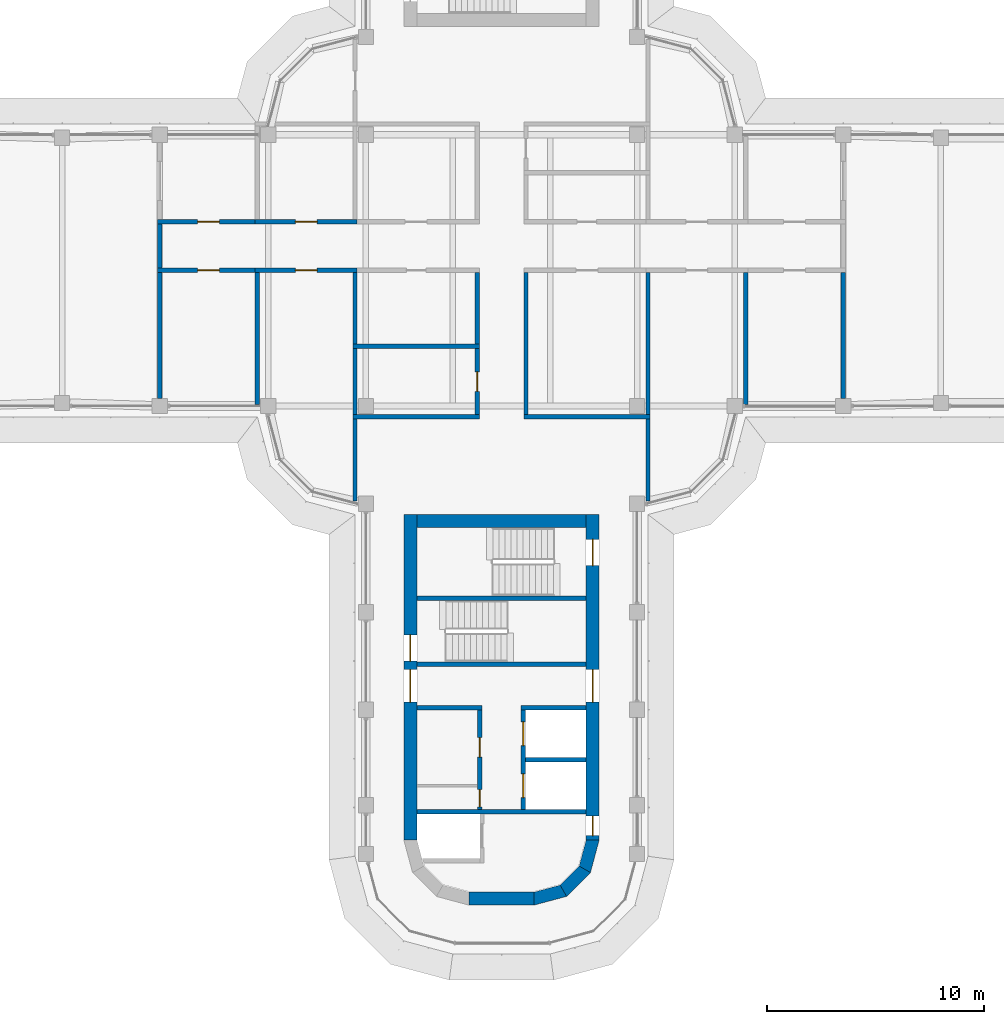
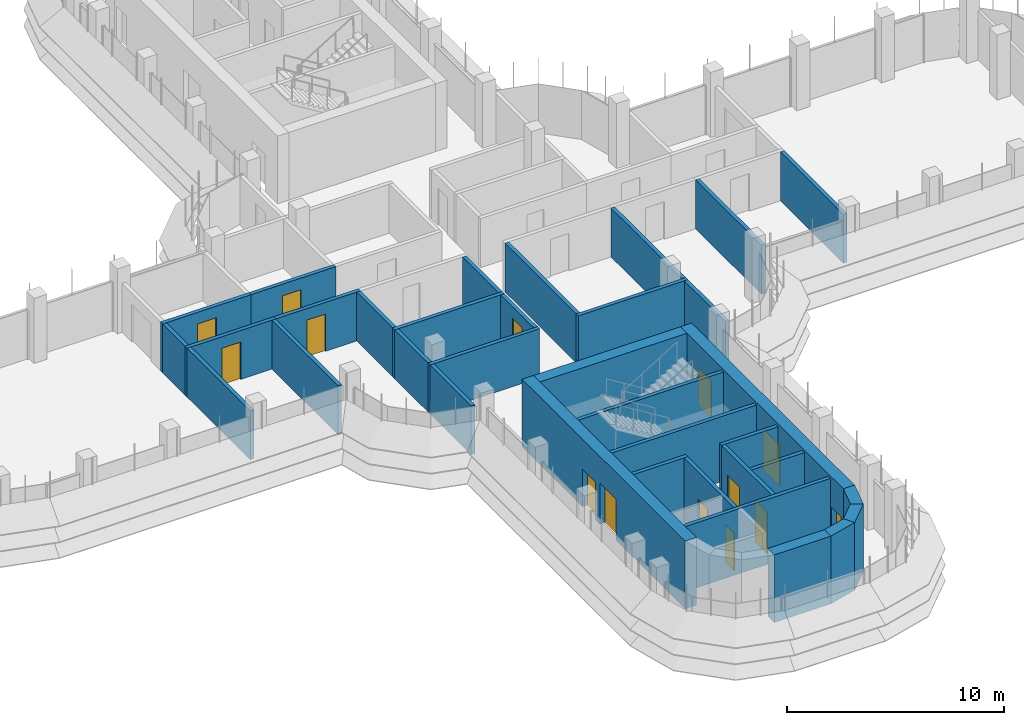
# One storey, part 13 of 18: 35 walls, 14 doors, 14 openings.
"""IFC4 building model written with IfcOpenShell, lengths in metres."""

from ifc_helpers import new_model, si_unit, direction, frame, frame_2d, origin, place, context, subcontext, project, spatial, polyline, rectangle, outline, extrude, material, layer, layer_set, type_object, element, fill, save


model = new_model("IFC4")

# Units and contexts
model_context = context("Model", 3, precision=1e-05, world=origin(), true_north=direction((0.0, 1.0)))
body_context = subcontext(model_context, "Body", "Model", "MODEL_VIEW")
ifc_project = project(units=[si_unit("LENGTHUNIT", "METRE"), si_unit("AREAUNIT", "SQUARE_METRE"), si_unit("VOLUMEUNIT", "CUBIC_METRE"), si_unit("PLANEANGLEUNIT", "RADIAN"), si_unit("MASSUNIT", "GRAM", prefix="KILO")], contexts=[model_context])

# Site, building, storey
site_placement = place(None, origin())
site = spatial("IfcSite", under=ifc_project, at=site_placement, CompositionType="ELEMENT")
building_placement = place(site_placement, origin())
building = spatial("IfcBuilding", under=site, at=building_placement, Name="Zarbagh Exchange Tower", CompositionType="ELEMENT")
storey_placement = place(building_placement, frame((0.0, 0.0, 214.39990234375)))
storey = spatial("IfcBuildingStorey", under=building, at=storey_placement, Name="L52", CompositionType="ELEMENT", Elevation=214.39990234375)

# Wall, opening, door
ifc_material_1 = material(Name="Fire-rated plasterboard partition")
ifc_layer_1 = layer(ifc_material_1, 0.199951171875)
ifc_layer_set_1 = layer_set([ifc_layer_1], Name="RATED PARTITION 200")
wall_type_1 = type_object("IfcWallType", Name="RATED PARTITION 200", PredefinedType="PARTITIONING", material=ifc_layer_set_1)
wall_1_placement = place(storey_placement, frame((-11.35009765625, 2.25, 0.0), z_axis=(0.0, 0.0, 1.0), x_axis=(1.0, 0.0, 0.0)))
wall_1 = element("IfcWall", 1, at=wall_1_placement, inside=storey, type_object=wall_type_1, Name="Partition W-2204", PredefinedType="PARTITIONING", context=body_context, shape_type="SweptSolid", body=[
    extrude(rectangle(XDim=4.7001953125, YDim=0.199951171875, at=frame_2d((2.35009765625, 0.0))), origin(), (0.0, 0.0, 1.0), 2.75),
])
opening_1_placement = place(wall_1_placement, frame((1.85009765625, 0.0, 0.0)))
opening_1 = element("IfcOpeningElement", 2, at=opening_1_placement, cuts=wall_1, Name="Opening D-2209", PredefinedType="OPENING", context=body_context, shape_type="SweptSolid", body=[
    extrude(rectangle(XDim=1.0, YDim=2.10009765625, at=frame_2d((0.5, 1.050048828125))), frame((0.0, 0.10986328125, 0.0), z_axis=(0.0, -1.0, 0.0), x_axis=(1.0, 0.0, 0.0)), (0.0, 0.0, 1.0), 0.219970703125),
])
ifc_material_2 = material(Name="Steel door set", Category="steel")
door_type_1 = type_object("IfcDoorType", Name="FIRE DOOR 1000 X 2100 FD30S", OperationType="NOTDEFINED", PredefinedType="DOOR", material=ifc_material_2)
door_1_placement = place(opening_1_placement, origin())
door_1 = element("IfcDoor", 3, at=door_1_placement, inside=storey, type_object=door_type_1, Name="Door D-2209", OperationType="SINGLE_SWING_RIGHT", OverallHeight=2.10009765625, OverallWidth=1.0, PredefinedType="DOOR", context=body_context, shape_type="SweptSolid", body=[
    extrude(rectangle(XDim=1.0, YDim=2.10009765625, at=frame_2d((0.5, 1.050048828125))), frame((0.0, 0.02490234375, 0.0), z_axis=(0.0, -1.0, 0.0), x_axis=(1.0, 0.0, 0.0)), (0.0, 0.0, 1.0), 0.050048828125),
])
fill(opening_1, door_1)

wall_2_placement = place(storey_placement, frame((-6.64990234375, 0.0, 0.0), z_axis=(0.0, 0.0, 1.0), x_axis=(-1.0, 0.0, 0.0)))
wall_2 = element("IfcWall", 4, at=wall_2_placement, inside=storey, type_object=wall_type_1, Name="Partition W-2208", PredefinedType="PARTITIONING", context=body_context, shape_type="SweptSolid", body=[
    extrude(rectangle(XDim=4.7001953125, YDim=0.199951171875, at=frame_2d((2.35009765625, 0.0))), origin(), (0.0, 0.0, 1.0), 2.75),
])
opening_2_placement = place(wall_2_placement, frame((1.85009765625, 0.0, 0.0)))
opening_2 = element("IfcOpeningElement", 5, at=opening_2_placement, cuts=wall_2, Name="Opening D-2215", PredefinedType="OPENING", context=body_context, shape_type="SweptSolid", body=[
    extrude(rectangle(XDim=1.0, YDim=2.10009765625, at=frame_2d((0.5, 1.050048828125))), frame((0.0, 0.10986328125, 0.0), z_axis=(0.0, -1.0, 0.0), x_axis=(1.0, 0.0, 0.0)), (0.0, 0.0, 1.0), 0.219970703125),
])
door_2_placement = place(opening_2_placement, origin())
door_2 = element("IfcDoor", 6, at=door_2_placement, inside=storey, type_object=door_type_1, Name="Door D-2215", OperationType="SINGLE_SWING_RIGHT", OverallHeight=2.10009765625, OverallWidth=1.0, PredefinedType="DOOR", context=body_context, shape_type="SweptSolid", body=[
    extrude(rectangle(XDim=1.0, YDim=2.10009765625, at=frame_2d((0.5, 1.050048828125))), frame((0.0, 0.02490234375, 0.0), z_axis=(0.0, -1.0, 0.0), x_axis=(1.0, 0.0, 0.0)), (0.0, 0.0, 1.0), 0.050048828125),
])
fill(opening_2, door_2)

wall_3_placement = place(storey_placement, frame((-15.85009765625, 2.25, 0.0), z_axis=(0.0, 0.0, 1.0), x_axis=(1.0, 0.0, 0.0)))
wall_3 = element("IfcWall", 7, at=wall_3_placement, inside=storey, type_object=wall_type_1, Name="Partition W-2212", PredefinedType="PARTITIONING", context=body_context, shape_type="SweptSolid", body=[
    extrude(rectangle(XDim=4.7001953125, YDim=0.199951171875, at=frame_2d((2.35009765625, 0.0))), origin(), (0.0, 0.0, 1.0), 2.75),
])
opening_3_placement = place(wall_3_placement, frame((1.85009765625, 0.0, 0.0)))
opening_3 = element("IfcOpeningElement", 8, at=opening_3_placement, cuts=wall_3, Name="Opening D-2217", PredefinedType="OPENING", context=body_context, shape_type="SweptSolid", body=[
    extrude(rectangle(XDim=1.0, YDim=2.10009765625, at=frame_2d((0.5, 1.050048828125))), frame((0.0, 0.10986328125, 0.0), z_axis=(0.0, -1.0, 0.0), x_axis=(1.0, 0.0, 0.0)), (0.0, 0.0, 1.0), 0.219970703125),
])
door_3_placement = place(opening_3_placement, origin())
door_3 = element("IfcDoor", 9, at=door_3_placement, inside=storey, type_object=door_type_1, Name="Door D-2217", OperationType="SINGLE_SWING_RIGHT", OverallHeight=2.10009765625, OverallWidth=1.0, PredefinedType="DOOR", context=body_context, shape_type="SweptSolid", body=[
    extrude(rectangle(XDim=1.0, YDim=2.10009765625, at=frame_2d((0.5, 1.050048828125))), frame((0.0, 0.02490234375, 0.0), z_axis=(0.0, -1.0, 0.0), x_axis=(1.0, 0.0, 0.0)), (0.0, 0.0, 1.0), 0.050048828125),
])
fill(opening_3, door_3)

wall_4_placement = place(storey_placement, frame((-11.14990234375, 0.0, 0.0), z_axis=(0.0, 0.0, 1.0), x_axis=(-1.0, 0.0, 0.0)))
wall_4 = element("IfcWall", 10, at=wall_4_placement, inside=storey, type_object=wall_type_1, Name="Partition W-2213", PredefinedType="PARTITIONING", context=body_context, shape_type="SweptSolid", body=[
    extrude(rectangle(XDim=4.7001953125, YDim=0.199951171875, at=frame_2d((2.35009765625, 0.0))), origin(), (0.0, 0.0, 1.0), 2.75),
])
opening_4_placement = place(wall_4_placement, frame((1.85009765625, 0.0, 0.0)))
opening_4 = element("IfcOpeningElement", 11, at=opening_4_placement, cuts=wall_4, Name="Opening D-2218", PredefinedType="OPENING", context=body_context, shape_type="SweptSolid", body=[
    extrude(rectangle(XDim=1.0, YDim=2.10009765625, at=frame_2d((0.5, 1.050048828125))), frame((0.0, 0.10986328125, 0.0), z_axis=(0.0, -1.0, 0.0), x_axis=(1.0, 0.0, 0.0)), (0.0, 0.0, 1.0), 0.219970703125),
])
door_4_placement = place(opening_4_placement, origin())
door_4 = element("IfcDoor", 12, at=door_4_placement, inside=storey, type_object=door_type_1, Name="Door D-2218", OperationType="SINGLE_SWING_RIGHT", OverallHeight=2.10009765625, OverallWidth=1.0, PredefinedType="DOOR", context=body_context, shape_type="SweptSolid", body=[
    extrude(rectangle(XDim=1.0, YDim=2.10009765625, at=frame_2d((0.5, 1.050048828125))), frame((0.0, 0.02490234375, 0.0), z_axis=(0.0, -1.0, 0.0), x_axis=(1.0, 0.0, 0.0)), (0.0, 0.0, 1.0), 0.050048828125),
])
fill(opening_4, door_4)

# Walls
wall_5_placement = place(storey_placement, frame((-15.75, 0.10009765625, 0.0), z_axis=(0.0, 0.0, 1.0), x_axis=(0.0, 1.0, 0.0)))
element("IfcWall", 13, at=wall_5_placement, inside=storey, type_object=wall_type_1, Name="Partition W-2214", PredefinedType="PARTITIONING", context=body_context, shape_type="SweptSolid", body=[
    extrude(rectangle(XDim=2.0498046875, YDim=0.199951171875, at=frame_2d((1.02490234375, 0.0))), origin(), (0.0, 0.0, 1.0), 2.75),
])
wall_6_placement = place(storey_placement, frame((1.125, -6.64990234375, 0.0), z_axis=(0.0, 0.0, 1.0), x_axis=(0.0, 1.0, 0.0)))
element("IfcWall", 14, at=wall_6_placement, inside=storey, type_object=wall_type_1, Name="Partition W-2218", PredefinedType="PARTITIONING", context=body_context, shape_type="SweptSolid", body=[
    extrude(rectangle(XDim=6.5498046875, YDim=0.199951171875, at=frame_2d((3.27490234375, 0.0))), origin(), (0.0, 0.0, 1.0), 2.75),
])
wall_7_placement = place(storey_placement, frame((-1.125, -3.39990234375, 0.0), z_axis=(0.0, 0.0, 1.0), x_axis=(0.0, 1.0, 0.0)))
element("IfcWall", 15, at=wall_7_placement, inside=storey, type_object=wall_type_1, Name="Partition W-2219", PredefinedType="PARTITIONING", context=body_context, shape_type="SweptSolid", body=[
    extrude(rectangle(XDim=3.2998046875, YDim=0.199951171875, at=frame_2d((1.64990234375, 0.0))), origin(), (0.0, 0.0, 1.0), 2.75),
])

# Wall, opening, door
wall_8_placement = place(storey_placement, frame((-1.125, -6.64990234375, 0.0), z_axis=(0.0, 0.0, 1.0), x_axis=(0.0, 1.0, 0.0)))
wall_8 = element("IfcWall", 16, at=wall_8_placement, inside=storey, type_object=wall_type_1, Name="Partition W-2220", PredefinedType="PARTITIONING", context=body_context, shape_type="SweptSolid", body=[
    extrude(rectangle(XDim=3.0498046875, YDim=0.199951171875, at=frame_2d((1.52490234375, 0.0))), origin(), (0.0, 0.0, 1.0), 2.75),
])
opening_5_placement = place(wall_8_placement, frame((1.074951171875, 0.0, 0.0)))
opening_5 = element("IfcOpeningElement", 17, at=opening_5_placement, cuts=wall_8, Name="Opening D-2214", PredefinedType="OPENING", context=body_context, shape_type="SweptSolid", body=[
    extrude(rectangle(XDim=0.89990234375, YDim=2.10009765625, at=frame_2d((0.449951171875, 1.050048828125))), frame((0.0, 0.10986328125, 0.0), z_axis=(0.0, -1.0, 0.0), x_axis=(1.0, 0.0, 0.0)), (0.0, 0.0, 1.0), 0.219970703125),
])
ifc_material_3 = material(Name="Timber door leaf", Category="wood")
door_type_2 = type_object("IfcDoorType", Name="DOOR 900 X 2100", OperationType="NOTDEFINED", PredefinedType="DOOR", material=ifc_material_3)
door_5_placement = place(opening_5_placement, origin())
door_5 = element("IfcDoor", 18, at=door_5_placement, inside=storey, type_object=door_type_2, Name="Door D-2214", OperationType="SINGLE_SWING_RIGHT", OverallHeight=2.10009765625, OverallWidth=0.89990234375, PredefinedType="DOOR", context=body_context, shape_type="SweptSolid", body=[
    extrude(rectangle(XDim=0.89990234375, YDim=2.10009765625, at=frame_2d((0.449951171875, 1.050048828125))), frame((0.0, 0.02490234375, 0.0), z_axis=(0.0, -1.0, 0.0), x_axis=(1.0, 0.0, 0.0)), (0.0, 0.0, 1.0), 0.050048828125),
])
fill(opening_5, door_5)

# Walls
wall_9_placement = place(storey_placement, frame((1.02490234375, -6.75, 0.0), z_axis=(0.0, 0.0, 1.0), x_axis=(1.0, 0.0, 0.0)))
element("IfcWall", 19, at=wall_9_placement, inside=storey, type_object=wall_type_1, Name="Partition W-2225", PredefinedType="PARTITIONING", context=body_context, shape_type="SweptSolid", body=[
    extrude(rectangle(XDim=5.8251953125, YDim=0.199951171875, at=frame_2d((2.91259765625, 0.0))), origin(), (0.0, 0.0, 1.0), 2.75),
])
wall_10_placement = place(storey_placement, frame((6.75, -10.6298828125, 0.0), z_axis=(0.0, 0.0, 1.0), x_axis=(0.0, 1.0, 0.0)))
element("IfcWall", 20, at=wall_10_placement, inside=storey, type_object=wall_type_1, Name="Partition W-2226", PredefinedType="PARTITIONING", context=body_context, shape_type="SweptSolid", body=[
    extrude(rectangle(XDim=3.77978515625, YDim=0.199951171875, at=frame_2d((1.889892578125, 0.0))), origin(), (0.0, 0.0, 1.0), 2.75),
])
wall_11_placement = place(storey_placement, frame((-6.85009765625, -6.75, 0.0), z_axis=(0.0, 0.0, 1.0), x_axis=(1.0, 0.0, 0.0)))
element("IfcWall", 21, at=wall_11_placement, inside=storey, type_object=wall_type_1, Name="Partition W-2227", PredefinedType="PARTITIONING", context=body_context, shape_type="SweptSolid", body=[
    extrude(rectangle(XDim=5.8251953125, YDim=0.199951171875, at=frame_2d((2.91259765625, 0.0))), origin(), (0.0, 0.0, 1.0), 2.75),
])
wall_12_placement = place(storey_placement, frame((-6.75, -10.6298828125, 0.0), z_axis=(0.0, 0.0, 1.0), x_axis=(0.0, 1.0, 0.0)))
element("IfcWall", 22, at=wall_12_placement, inside=storey, type_object=wall_type_1, Name="Partition W-2228", PredefinedType="PARTITIONING", context=body_context, shape_type="SweptSolid", body=[
    extrude(rectangle(XDim=3.77978515625, YDim=0.199951171875, at=frame_2d((1.889892578125, 0.0))), origin(), (0.0, 0.0, 1.0), 2.75),
])
wall_13_placement = place(storey_placement, frame((6.75, -6.64990234375, 0.0), z_axis=(0.0, 0.0, 1.0), x_axis=(0.0, 1.0, 0.0)))
element("IfcWall", 23, at=wall_13_placement, inside=storey, type_object=wall_type_1, Name="Partition W-2236", PredefinedType="PARTITIONING", context=body_context, shape_type="SweptSolid", body=[
    extrude(rectangle(XDim=6.5498046875, YDim=0.199951171875, at=frame_2d((3.27490234375, 0.0))), origin(), (0.0, 0.0, 1.0), 2.75),
])
wall_14_placement = place(storey_placement, frame((11.25, -6.169921875, 0.0), z_axis=(0.0, 0.0, 1.0), x_axis=(0.0, 1.0, 0.0)))
element("IfcWall", 24, at=wall_14_placement, inside=storey, type_object=wall_type_1, Name="Partition W-2237", PredefinedType="PARTITIONING", context=body_context, shape_type="SweptSolid", body=[
    extrude(rectangle(XDim=6.06982421875, YDim=0.199951171875, at=frame_2d((3.034912109375, 0.0))), origin(), (0.0, 0.0, 1.0), 2.75),
])
wall_15_placement = place(storey_placement, frame((-6.85009765625, -3.5, 0.0), z_axis=(0.0, 0.0, 1.0), x_axis=(1.0, 0.0, 0.0)))
element("IfcWall", 25, at=wall_15_placement, inside=storey, type_object=wall_type_1, Name="Partition W-2238", PredefinedType="PARTITIONING", context=body_context, shape_type="SweptSolid", body=[
    extrude(rectangle(XDim=5.8251953125, YDim=0.199951171875, at=frame_2d((2.91259765625, 0.0))), origin(), (0.0, 0.0, 1.0), 2.75),
])
wall_16_placement = place(storey_placement, frame((-6.75, -3.39990234375, 0.0), z_axis=(0.0, 0.0, 1.0), x_axis=(0.0, 1.0, 0.0)))
element("IfcWall", 26, at=wall_16_placement, inside=storey, type_object=wall_type_1, Name="Partition W-2239", PredefinedType="PARTITIONING", context=body_context, shape_type="SweptSolid", body=[
    extrude(rectangle(XDim=3.2998046875, YDim=0.199951171875, at=frame_2d((1.64990234375, 0.0))), origin(), (0.0, 0.0, 1.0), 2.75),
])
wall_17_placement = place(storey_placement, frame((-6.75, -6.64990234375, 0.0), z_axis=(0.0, 0.0, 1.0), x_axis=(0.0, 1.0, 0.0)))
element("IfcWall", 27, at=wall_17_placement, inside=storey, type_object=wall_type_1, Name="Partition W-2240", PredefinedType="PARTITIONING", context=body_context, shape_type="SweptSolid", body=[
    extrude(rectangle(XDim=3.0498046875, YDim=0.199951171875, at=frame_2d((1.52490234375, 0.0))), origin(), (0.0, 0.0, 1.0), 2.75),
])
wall_18_placement = place(storey_placement, frame((-11.25, -6.169921875, 0.0), z_axis=(0.0, 0.0, 1.0), x_axis=(0.0, 1.0, 0.0)))
element("IfcWall", 28, at=wall_18_placement, inside=storey, type_object=wall_type_1, Name="Partition W-2241", PredefinedType="PARTITIONING", context=body_context, shape_type="SweptSolid", body=[
    extrude(rectangle(XDim=6.06982421875, YDim=0.199951171875, at=frame_2d((3.034912109375, 0.0))), origin(), (0.0, 0.0, 1.0), 2.75),
])
for number, where, z_axis, x_axis, name in (
    (29, (15.75, -5.89990234375, 0.0), (0.0, 0.0, 1.0), (0.0, 1.0, 0.0), "Partition W-2243"),
    (30, (-15.75, -5.89990234375, 0.0), (0.0, 0.0, 1.0), (0.0, 1.0, 0.0), "Partition W-2246"),
):
    element("IfcWall", number, at=place(storey_placement, frame(where, z_axis=z_axis, x_axis=x_axis)), inside=storey, type_object=wall_type_1, Name=name, PredefinedType="PARTITIONING", context=body_context, shape_type="SweptSolid", body=[
        extrude(rectangle(XDim=5.7998046875, YDim=0.199951171875, at=frame_2d((2.89990234375, 0.0))), origin(), (0.0, 0.0, 1.0), 2.75),
    ])
ifc_material_4 = material(Name="Concrete C50/60", Category="concrete")
ifc_layer_2 = layer(ifc_material_4, 0.60009765625)
ifc_layer_set_2 = layer_set([ifc_layer_2], Name="RC core corner wall 600 C50/60")
wall_type_2 = type_object("IfcWallType", Name="RC core corner wall 600 C50/60", PredefinedType="SHEAR", material=ifc_layer_set_2)
wall_19_placement = place(storey_placement, origin())
element("IfcWall", 31, at=wall_19_placement, inside=storey, type_object=wall_type_2, Name="CW8 core S corner E", PredefinedType="SHEAR", context=body_context, shape_type="SweptSolid", body=[
    extrude(outline(polyline([(4.5, -26.25), (4.09814453125, -27.75), (3.57861328125, -27.449951171875), (3.89990234375, -26.25), (4.5, -26.25)])), origin(), (0.0, 0.0, 1.0), 3.800048828125),
])
wall_20_placement = place(storey_placement, origin())
element("IfcWall", 32, at=wall_20_placement, inside=storey, type_object=wall_type_2, Name="CW8 core S corner E", PredefinedType="SHEAR", context=body_context, shape_type="SweptSolid", body=[
    extrude(outline(polyline([(4.09814453125, -27.75), (3.0, -28.84814453125), (2.699951171875, -28.32861328125), (3.57861328125, -27.449951171875), (4.09814453125, -27.75)])), origin(), (0.0, 0.0, 1.0), 3.800048828125),
])
wall_21_placement = place(storey_placement, origin())
element("IfcWall", 33, at=wall_21_placement, inside=storey, type_object=wall_type_2, Name="CW8 core S corner E", PredefinedType="SHEAR", context=body_context, shape_type="SweptSolid", body=[
    extrude(outline(polyline([(3.0, -28.84814453125), (1.5, -29.25), (1.5, -28.64990234375), (2.699951171875, -28.32861328125), (3.0, -28.84814453125)])), origin(), (0.0, 0.0, 1.0), 3.800048828125),
])

# Wall, openings, doors
ifc_layer_3 = layer(ifc_material_4, 0.60009765625)
ifc_layer_set_3 = layer_set([ifc_layer_3], Name="RC core wall 600 C50/60")
wall_type_3 = type_object("IfcWallType", Name="RC core wall 600 C50/60", PredefinedType="SHEAR", material=ifc_layer_set_3)
wall_22_placement = place(storey_placement, frame((-4.199951171875, -11.25, 0.0), z_axis=(0.0, 0.0, 1.0), x_axis=(0.0, -1.0, 0.0)))
wall_22 = element("IfcWall", 34, at=wall_22_placement, inside=storey, type_object=wall_type_3, Name="CW7 core S W", PredefinedType="SHEAR", context=body_context, shape_type="SweptSolid", body=[
    extrude(rectangle(XDim=15.0, YDim=0.60009765625, at=frame_2d((7.5, 0.0))), origin(), (0.0, 0.0, 1.0), 3.800048828125),
])
opening_6_placement = place(wall_22_placement, frame((7.14990234375, 0.0, 0.0)))
opening_6 = element("IfcOpeningElement", 35, at=opening_6_placement, cuts=wall_22, Name="Opening CD1-1500", PredefinedType="OPENING", context=body_context, shape_type="SweptSolid", body=[
    extrude(rectangle(XDim=1.5, YDim=2.300048828125, at=frame_2d((0.75, 1.14990234375))), frame((0.0, 0.31005859375, 0.0), z_axis=(0.0, -1.0, 0.0), x_axis=(1.0, 0.0, 0.0)), (0.0, 0.0, 1.0), 0.6201171875),
])
opening_7_placement = place(wall_22_placement, frame((5.550048828125, 0.0, 0.0)))
opening_7 = element("IfcOpeningElement", 36, at=opening_7_placement, cuts=wall_22, Name="Opening SD1-1200", PredefinedType="OPENING", context=body_context, shape_type="SweptSolid", body=[
    extrude(rectangle(XDim=1.199951171875, YDim=2.10009765625, at=frame_2d((0.60009765625, 1.050048828125))), frame((0.0, 0.31005859375, 0.0), z_axis=(0.0, -1.0, 0.0), x_axis=(1.0, 0.0, 0.0)), (0.0, 0.0, 1.0), 0.6201171875),
])
ifc_material_5 = material(Name="Steel", Category="steel")
door_type_3 = type_object("IfcDoorType", Name="Exit stair door 1200 x 2100", OperationType="NOTDEFINED", PredefinedType="DOOR", material=ifc_material_5)
door_6_placement = place(opening_7_placement, origin())
door_6 = element("IfcDoor", 37, at=door_6_placement, inside=storey, type_object=door_type_3, Name="South core stair door ST1", OperationType="SINGLE_SWING_LEFT", OverallHeight=2.10009765625, OverallWidth=1.199951171875, PredefinedType="DOOR", context=body_context, shape_type="SweptSolid", body=[
    extrude(rectangle(XDim=1.199951171875, YDim=2.10009765625, at=frame_2d((0.60009765625, 1.050048828125))), frame((0.0, 0.02490234375, 0.0), z_axis=(0.0, -1.0, 0.0), x_axis=(1.0, 0.0, 0.0)), (0.0, 0.0, 1.0), 0.050048828125),
])
fill(opening_7, door_6)
door_type_4 = type_object("IfcDoorType", Name="Lift lobby double door 1500 x 2300", OperationType="NOTDEFINED", PredefinedType="DOOR", material=ifc_material_5)
door_7_placement = place(opening_6_placement, origin())
door_7 = element("IfcDoor", 38, at=door_7_placement, inside=storey, type_object=door_type_4, Name="South core lift lobby door LOBBY-E", OperationType="DOUBLE_DOOR_SINGLE_SWING", OverallHeight=2.300048828125, OverallWidth=1.5, PredefinedType="DOOR", context=body_context, shape_type="SweptSolid", body=[
    extrude(rectangle(XDim=1.5, YDim=2.300048828125, at=frame_2d((0.75, 1.14990234375))), frame((0.0, 0.02490234375, 0.0), z_axis=(0.0, -1.0, 0.0), x_axis=(1.0, 0.0, 0.0)), (0.0, 0.0, 1.0), 0.050048828125),
])
fill(opening_6, door_7)

wall_23_placement = place(storey_placement, frame((4.199951171875, -11.25, 0.0), z_axis=(0.0, 0.0, 1.0), x_axis=(0.0, -1.0, 0.0)))
wall_23 = element("IfcWall", 39, at=wall_23_placement, inside=storey, type_object=wall_type_3, Name="CW7 core S E", PredefinedType="SHEAR", context=body_context, shape_type="SweptSolid", body=[
    extrude(rectangle(XDim=15.0, YDim=0.60009765625, at=frame_2d((7.5, 0.0))), origin(), (0.0, 0.0, 1.0), 3.800048828125),
])
opening_8_placement = place(wall_23_placement, frame((7.14990234375, 0.0, 0.0)))
opening_8 = element("IfcOpeningElement", 40, at=opening_8_placement, cuts=wall_23, Name="Opening CD1-1500", PredefinedType="OPENING", context=body_context, shape_type="SweptSolid", body=[
    extrude(rectangle(XDim=1.5, YDim=2.300048828125, at=frame_2d((0.75, 1.14990234375))), frame((0.0, 0.31005859375, 0.0), z_axis=(0.0, -1.0, 0.0), x_axis=(1.0, 0.0, 0.0)), (0.0, 0.0, 1.0), 0.6201171875),
])
opening_9_placement = place(wall_23_placement, frame((13.89990234375, 0.0, 0.0)))
opening_9 = element("IfcOpeningElement", 41, at=opening_9_placement, cuts=wall_23, Name="Opening CD2-900", PredefinedType="OPENING", context=body_context, shape_type="SweptSolid", body=[
    extrude(rectangle(XDim=0.89990234375, YDim=2.10009765625, at=frame_2d((0.449951171875, 1.050048828125))), frame((0.0, 0.31005859375, 0.0), z_axis=(0.0, -1.0, 0.0), x_axis=(1.0, 0.0, 0.0)), (0.0, 0.0, 1.0), 0.6201171875),
])
opening_10_placement = place(wall_23_placement, frame((1.14990234375, 0.0, 0.0)))
opening_10 = element("IfcOpeningElement", 42, at=opening_10_placement, cuts=wall_23, Name="Opening SD1-1200", PredefinedType="OPENING", context=body_context, shape_type="SweptSolid", body=[
    extrude(rectangle(XDim=1.199951171875, YDim=2.10009765625, at=frame_2d((0.60009765625, 1.050048828125))), frame((0.0, 0.31005859375, 0.0), z_axis=(0.0, -1.0, 0.0), x_axis=(1.0, 0.0, 0.0)), (0.0, 0.0, 1.0), 0.6201171875),
])
door_8_placement = place(opening_10_placement, origin())
door_8 = element("IfcDoor", 43, at=door_8_placement, inside=storey, type_object=door_type_3, Name="South core stair door ST2", OperationType="SINGLE_SWING_LEFT", OverallHeight=2.10009765625, OverallWidth=1.199951171875, PredefinedType="DOOR", context=body_context, shape_type="SweptSolid", body=[
    extrude(rectangle(XDim=1.199951171875, YDim=2.10009765625, at=frame_2d((0.60009765625, 1.050048828125))), frame((0.0, 0.02490234375, 0.0), z_axis=(0.0, -1.0, 0.0), x_axis=(1.0, 0.0, 0.0)), (0.0, 0.0, 1.0), 0.050048828125),
])
fill(opening_10, door_8)
door_type_5 = type_object("IfcDoorType", Name="Firefighting lobby door 900 x 2100", OperationType="NOTDEFINED", PredefinedType="DOOR", material=ifc_material_5)
door_9_placement = place(opening_9_placement, origin())
door_9 = element("IfcDoor", 44, at=door_9_placement, inside=storey, type_object=door_type_5, Name="South core firefighting lobby door FF-W", OperationType="SINGLE_SWING_RIGHT", OverallHeight=2.10009765625, OverallWidth=0.89990234375, PredefinedType="DOOR", context=body_context, shape_type="SweptSolid", body=[
    extrude(rectangle(XDim=0.89990234375, YDim=2.10009765625, at=frame_2d((0.449951171875, 1.050048828125))), frame((0.0, 0.02490234375, 0.0), z_axis=(0.0, -1.0, 0.0), x_axis=(1.0, 0.0, 0.0)), (0.0, 0.0, 1.0), 0.050048828125),
])
fill(opening_9, door_9)
door_10_placement = place(opening_8_placement, origin())
door_10 = element("IfcDoor", 45, at=door_10_placement, inside=storey, type_object=door_type_4, Name="South core lift lobby door LOBBY-W", OperationType="DOUBLE_DOOR_SINGLE_SWING", OverallHeight=2.300048828125, OverallWidth=1.5, PredefinedType="DOOR", context=body_context, shape_type="SweptSolid", body=[
    extrude(rectangle(XDim=1.5, YDim=2.300048828125, at=frame_2d((0.75, 1.14990234375))), frame((0.0, 0.02490234375, 0.0), z_axis=(0.0, -1.0, 0.0), x_axis=(1.0, 0.0, 0.0)), (0.0, 0.0, 1.0), 0.050048828125),
])
fill(opening_8, door_10)

# Walls
wall_24_placement = place(storey_placement, frame((-3.89990234375, -11.550048828125, 0.0), z_axis=(0.0, 0.0, 1.0), x_axis=(1.0, 0.0, 0.0)))
element("IfcWall", 46, at=wall_24_placement, inside=storey, type_object=wall_type_3, Name="CW7 core S inner end", PredefinedType="SHEAR", context=body_context, shape_type="SweptSolid", body=[
    extrude(rectangle(XDim=7.7998046875, YDim=0.60009765625, at=frame_2d((3.89990234375, 0.0))), origin(), (0.0, 0.0, 1.0), 3.800048828125),
])
wall_25_placement = place(storey_placement, frame((-1.5, -28.949951171875, 0.0), z_axis=(0.0, 0.0, 1.0), x_axis=(1.0, 0.0, 0.0)))
element("IfcWall", 47, at=wall_25_placement, inside=storey, type_object=wall_type_3, Name="CW7 core S outer end", PredefinedType="SHEAR", context=body_context, shape_type="SweptSolid", body=[
    extrude(rectangle(XDim=3.0, YDim=0.60009765625, at=frame_2d((1.5, 0.0))), origin(), (0.0, 0.0, 1.0), 3.800048828125),
])
ifc_material_6 = material(Name="Dense blockwork", Category="masonry")
ifc_layer_4 = layer(ifc_material_6, 0.199951171875)
ifc_layer_set_4 = layer_set([ifc_layer_4], Name="Shaft wall 200 mm blockwork")
wall_type_4 = type_object("IfcWallType", Name="Shaft wall 200 mm blockwork", PredefinedType="PARTITIONING", material=ifc_layer_set_4)
wall_26_placement = place(storey_placement, frame((3.89990234375, -20.14990234375, 0.0), z_axis=(0.0, 0.0, 1.0), x_axis=(-1.0, 0.0, 0.0)))
element("IfcWall", 48, at=wall_26_placement, inside=storey, type_object=wall_type_4, Name="South core shaft wall AB-W", PredefinedType="PARTITIONING", context=body_context, shape_type="SweptSolid", body=[
    extrude(rectangle(XDim=3.0, YDim=0.199951171875, at=frame_2d((1.5, 0.0))), origin(), (0.0, 0.0, 1.0), 3.650146484375),
])

# Wall, openings, doors
wall_27_placement = place(storey_placement, frame((1.0, -24.85009765625, 0.0), z_axis=(0.0, 0.0, 1.0), x_axis=(0.0, 1.0, 0.0)))
wall_27 = element("IfcWall", 49, at=wall_27_placement, inside=storey, type_object=wall_type_4, Name="South core shaft wall LW-W", PredefinedType="PARTITIONING", context=body_context, shape_type="SweptSolid", body=[
    extrude(rectangle(XDim=4.60009765625, YDim=0.199951171875, at=frame_2d((2.300048828125, 0.0))), origin(), (0.0, 0.0, 1.0), 3.650146484375),
])
opening_11_placement = place(wall_27_placement, frame((0.550048828125, 0.0, 0.0)))
opening_11 = element("IfcOpeningElement", 50, at=opening_11_placement, cuts=wall_27, Name="Opening LD-1100", PredefinedType="OPENING", context=body_context, shape_type="SweptSolid", body=[
    extrude(rectangle(XDim=1.10009765625, YDim=2.300048828125, at=frame_2d((0.550048828125, 1.14990234375))), frame((0.0, 0.10986328125, 0.0), z_axis=(0.0, -1.0, 0.0), x_axis=(1.0, 0.0, 0.0)), (0.0, 0.0, 1.0), 0.219970703125),
])
opening_12_placement = place(wall_27_placement, frame((2.949951171875, 0.0, 0.0)))
opening_12 = element("IfcOpeningElement", 51, at=opening_12_placement, cuts=wall_27, Name="Opening LD-1100", PredefinedType="OPENING", context=body_context, shape_type="SweptSolid", body=[
    extrude(rectangle(XDim=1.10009765625, YDim=2.300048828125, at=frame_2d((0.550048828125, 1.14990234375))), frame((0.0, 0.10986328125, 0.0), z_axis=(0.0, -1.0, 0.0), x_axis=(1.0, 0.0, 0.0)), (0.0, 0.0, 1.0), 0.219970703125),
])
ifc_material_7 = material(Name="Stainless steel", Category="steel")
door_type_6 = type_object("IfcDoorType", Name="Lift landing door 1100 x 2300", OperationType="NOTDEFINED", PredefinedType="DOOR", material=ifc_material_7)
door_11_placement = place(opening_11_placement, origin())
door_11 = element("IfcDoor", 52, at=door_11_placement, inside=storey, type_object=door_type_6, Name="South core lift landing door LD-P-S1", OperationType="DOUBLE_DOOR_SLIDING", OverallHeight=2.300048828125, OverallWidth=1.10009765625, PredefinedType="DOOR", context=body_context, shape_type="SweptSolid", body=[
    extrude(rectangle(XDim=1.10009765625, YDim=2.300048828125, at=frame_2d((0.550048828125, 1.14990234375))), frame((0.0, 0.02490234375, 0.0), z_axis=(0.0, -1.0, 0.0), x_axis=(1.0, 0.0, 0.0)), (0.0, 0.0, 1.0), 0.050048828125),
])
fill(opening_11, door_11)
door_12_placement = place(opening_12_placement, origin())
door_12 = element("IfcDoor", 53, at=door_12_placement, inside=storey, type_object=door_type_6, Name="South core lift landing door LD-P-S2", OperationType="DOUBLE_DOOR_SLIDING", OverallHeight=2.300048828125, OverallWidth=1.10009765625, PredefinedType="DOOR", context=body_context, shape_type="SweptSolid", body=[
    extrude(rectangle(XDim=1.10009765625, YDim=2.300048828125, at=frame_2d((0.550048828125, 1.14990234375))), frame((0.0, 0.02490234375, 0.0), z_axis=(0.0, -1.0, 0.0), x_axis=(1.0, 0.0, 0.0)), (0.0, 0.0, 1.0), 0.050048828125),
])
fill(opening_12, door_12)

# Wall
wall_28_placement = place(storey_placement, frame((-0.89990234375, -20.14990234375, 0.0), z_axis=(0.0, 0.0, 1.0), x_axis=(-1.0, 0.0, 0.0)))
element("IfcWall", 54, at=wall_28_placement, inside=storey, type_object=wall_type_4, Name="South core shaft wall AB-E", PredefinedType="PARTITIONING", context=body_context, shape_type="SweptSolid", body=[
    extrude(rectangle(XDim=3.0, YDim=0.199951171875, at=frame_2d((1.5, 0.0))), origin(), (0.0, 0.0, 1.0), 3.650146484375),
])

# Wall, openings, doors
wall_29_placement = place(storey_placement, frame((-1.0, -24.85009765625, 0.0), z_axis=(0.0, 0.0, 1.0), x_axis=(0.0, 1.0, 0.0)))
wall_29 = element("IfcWall", 55, at=wall_29_placement, inside=storey, type_object=wall_type_4, Name="South core shaft wall LW-E", PredefinedType="PARTITIONING", context=body_context, shape_type="SweptSolid", body=[
    extrude(rectangle(XDim=4.60009765625, YDim=0.199951171875, at=frame_2d((2.300048828125, 0.0))), origin(), (0.0, 0.0, 1.0), 3.650146484375),
])
opening_13_placement = place(wall_29_placement, frame((0.125, 0.0, 0.0)))
opening_13 = element("IfcOpeningElement", 56, at=opening_13_placement, cuts=wall_29, Name="Opening CD3-800", PredefinedType="OPENING", context=body_context, shape_type="SweptSolid", body=[
    extrude(rectangle(XDim=0.800048828125, YDim=2.10009765625, at=frame_2d((0.39990234375, 1.050048828125))), frame((0.0, 0.10986328125, 0.0), z_axis=(0.0, -1.0, 0.0), x_axis=(1.0, 0.0, 0.0)), (0.0, 0.0, 1.0), 0.219970703125),
])
opening_14_placement = place(wall_29_placement, frame((2.425048828125, 0.0, 0.0)))
opening_14 = element("IfcOpeningElement", 57, at=opening_14_placement, cuts=wall_29, Name="Opening CD3-900", PredefinedType="OPENING", context=body_context, shape_type="SweptSolid", body=[
    extrude(rectangle(XDim=0.89990234375, YDim=2.10009765625, at=frame_2d((0.449951171875, 1.050048828125))), frame((0.0, 0.10986328125, 0.0), z_axis=(0.0, -1.0, 0.0), x_axis=(1.0, 0.0, 0.0)), (0.0, 0.0, 1.0), 0.219970703125),
])
door_type_7 = type_object("IfcDoorType", Name="Core room door 800 x 2100", OperationType="NOTDEFINED", PredefinedType="DOOR", material=ifc_material_5)
door_13_placement = place(opening_13_placement, origin())
door_13 = element("IfcDoor", 58, at=door_13_placement, inside=storey, type_object=door_type_7, Name="South core Store door RD-E-0", OperationType="SINGLE_SWING_LEFT", OverallHeight=2.10009765625, OverallWidth=0.800048828125, PredefinedType="DOOR", context=body_context, shape_type="SweptSolid", body=[
    extrude(rectangle(XDim=0.800048828125, YDim=2.10009765625, at=frame_2d((0.39990234375, 1.050048828125))), frame((0.0, 0.02490234375, 0.0), z_axis=(0.0, -1.0, 0.0), x_axis=(1.0, 0.0, 0.0)), (0.0, 0.0, 1.0), 0.050048828125),
])
fill(opening_13, door_13)
door_type_8 = type_object("IfcDoorType", Name="Core room door 900 x 2100", OperationType="NOTDEFINED", PredefinedType="DOOR", material=ifc_material_5)
door_14_placement = place(opening_14_placement, origin())
door_14 = element("IfcDoor", 59, at=door_14_placement, inside=storey, type_object=door_type_8, Name="South core Accessible WC door RD-E-1", OperationType="SINGLE_SWING_RIGHT", OverallHeight=2.10009765625, OverallWidth=0.89990234375, PredefinedType="DOOR", context=body_context, shape_type="SweptSolid", body=[
    extrude(rectangle(XDim=0.89990234375, YDim=2.10009765625, at=frame_2d((0.449951171875, 1.050048828125))), frame((0.0, 0.02490234375, 0.0), z_axis=(0.0, -1.0, 0.0), x_axis=(1.0, 0.0, 0.0)), (0.0, 0.0, 1.0), 0.050048828125),
])
fill(opening_14, door_14)

# Walls
wall_30_placement = place(storey_placement, frame((3.89990234375, -22.550048828125, 0.0), z_axis=(0.0, 0.0, 1.0), x_axis=(-1.0, 0.0, 0.0)))
element("IfcWall", 60, at=wall_30_placement, inside=storey, type_object=wall_type_4, Name="South core shaft wall TR-W", PredefinedType="PARTITIONING", context=body_context, shape_type="SweptSolid", body=[
    extrude(rectangle(XDim=2.7998046875, YDim=0.199951171875, at=frame_2d((1.39990234375, 0.0))), origin(), (0.0, 0.0, 1.0), 3.650146484375),
])
ifc_material_8 = material(Name="Concrete C40/50", Category="concrete")
ifc_layer_5 = layer(ifc_material_8, 0.199951171875)
ifc_layer_set_5 = layer_set([ifc_layer_5], Name="Stair enclosure wall 200 mm RC C40/50")
wall_type_5 = type_object("IfcWallType", Name="Stair enclosure wall 200 mm RC C40/50", PredefinedType="SHEAR", material=ifc_layer_set_5)
for number, where, z_axis, x_axis, name in (
    (61, (3.89990234375, -24.949951171875, 0.0), (0.0, 0.0, 1.0), (-1.0, 0.0, 0.0), "South core lift shaft wall FFA"),
    (62, (3.89990234375, -18.14990234375, 0.0), (0.0, 0.0, 1.0), (-1.0, 0.0, 0.0), "South core stair wall BS"),
    (63, (3.89990234375, -15.10009765625, 0.0), (0.0, 0.0, 1.0), (-1.0, 0.0, 0.0), "South core stair wall ST12"),
):
    element("IfcWall", number, at=place(storey_placement, frame(where, z_axis=z_axis, x_axis=x_axis)), inside=storey, type_object=wall_type_5, Name=name, PredefinedType="SHEAR", context=body_context, shape_type="SweptSolid", body=[
        extrude(rectangle(XDim=7.7998046875, YDim=0.199951171875, at=frame_2d((3.89990234375, 0.0))), origin(), (0.0, 0.0, 1.0), 3.650146484375),
    ])

save(model, "model.ifc")
